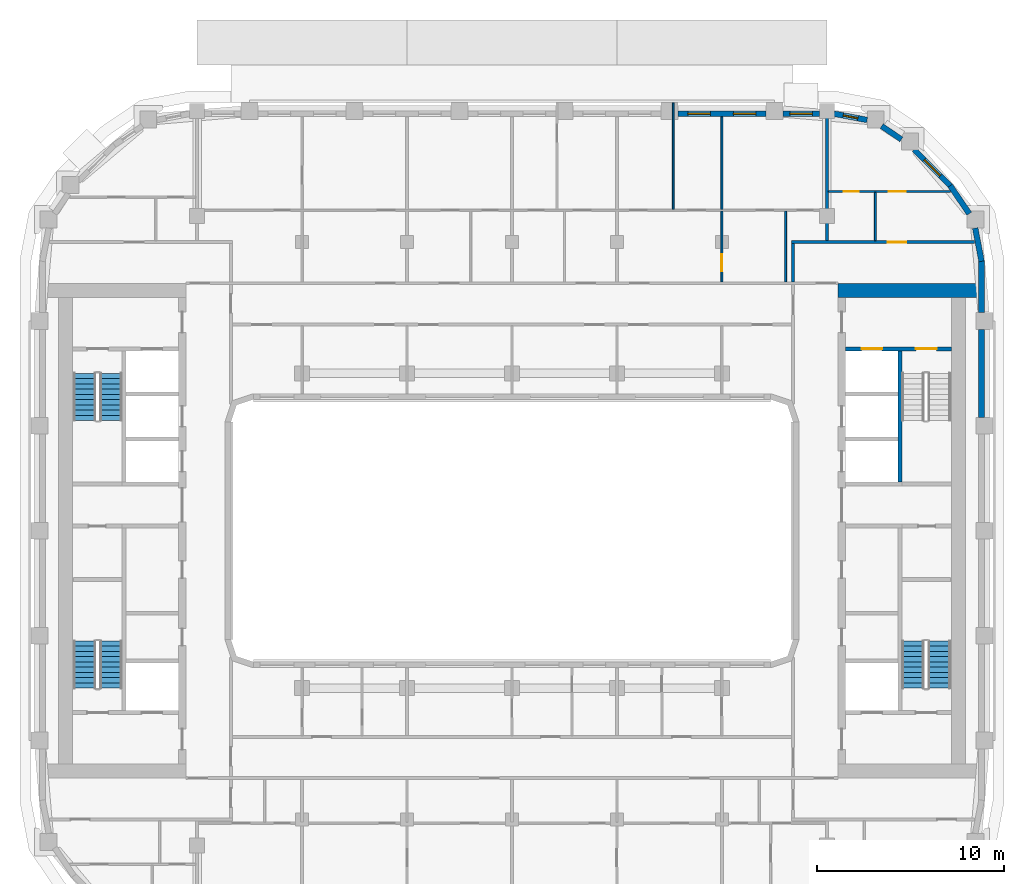
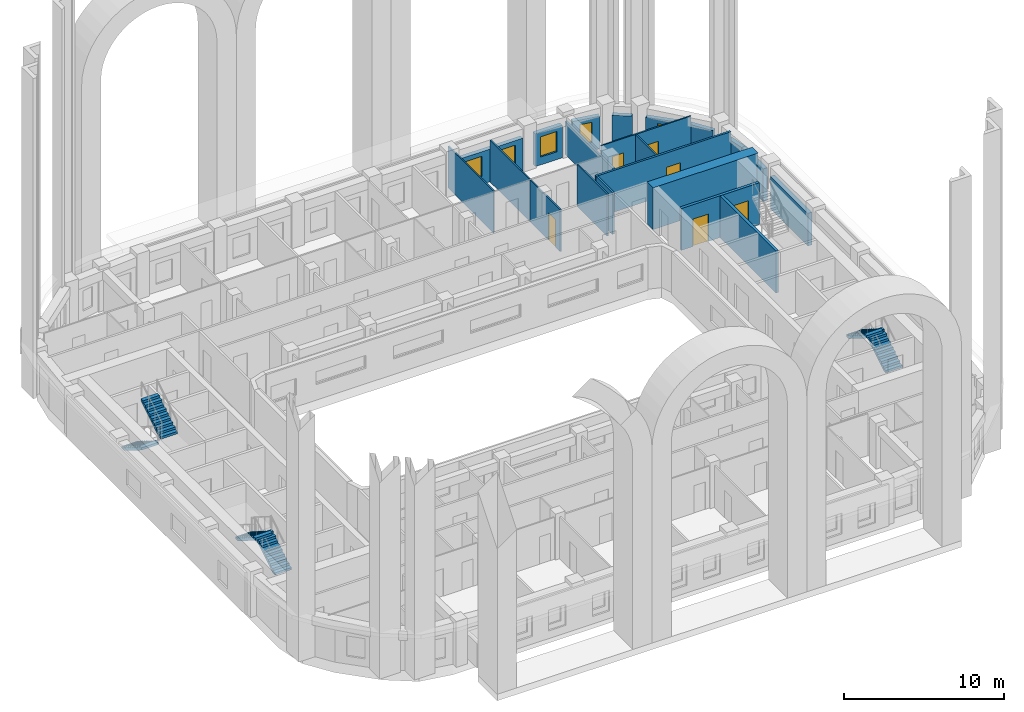
# One storey, part 9 of 20: 21 walls, 6 doors, 6 stair flights, 5 windows, 11 openings, 3 elements without a shape of their own.
"""IFC4 building model written with IfcOpenShell, lengths in metres."""

from ifc_helpers import new_model, si_unit, direction, frame, frame_2d, origin, place, context, subcontext, project, spatial, polyline, rectangle, outline, extrude, material, layer, layer_set, type_object, element, fill, aggregate, save


model = new_model("IFC4")

# Units and contexts
model_context = context("Model", 3, precision=1e-05, world=origin(), true_north=direction((0.0, 1.0)))
body_context = subcontext(model_context, "Body", "Model", "MODEL_VIEW")
ifc_project = project(units=[si_unit("LENGTHUNIT", "METRE"), si_unit("AREAUNIT", "SQUARE_METRE"), si_unit("VOLUMEUNIT", "CUBIC_METRE"), si_unit("PLANEANGLEUNIT", "RADIAN"), si_unit("MASSUNIT", "GRAM", prefix="KILO")], contexts=[model_context])

# Site, building, storey
site_placement = place(None, origin())
site = spatial("IfcSite", under=ifc_project, at=site_placement, CompositionType="ELEMENT")
building_placement = place(site_placement, origin())
building = spatial("IfcBuilding", under=site, at=building_placement, Name="Kiln Ring Residences", CompositionType="ELEMENT")
storey_placement = place(building_placement, frame((0.0, 0.0, 188.89990234375)))
storey = spatial("IfcBuildingStorey", under=building, at=storey_placement, Name="L48", CompositionType="ELEMENT", Elevation=188.89990234375)

# Wall
ifc_material_1 = material(Name="Concrete C40/50", Category="concrete")
ifc_layer_1 = layer(ifc_material_1, 0.199951171875)
ifc_layer_set_1 = layer_set([ifc_layer_1], Name="CORE-WALL-RC200")
wall_type_1 = type_object("IfcWallType", Name="CORE-WALL-RC200", PredefinedType="SHEAR", material=ifc_layer_set_1)
wall_1_placement = place(storey_placement, frame((20.699951171875, 2.60009765625, 0.0), z_axis=(0.0, 0.0, 1.0), x_axis=(0.0, 1.0, 0.0)))
element("IfcWall", 1, at=wall_1_placement, inside=storey, type_object=wall_type_1, Name="Core wall east L48 1", PredefinedType="SHEAR", context=body_context, shape_type="SweptSolid", body=[
    extrude(rectangle(XDim=7.0, YDim=0.199951171875, at=frame_2d((3.5, 0.0))), origin(), (0.0, 0.0, 1.0), 3.2001953125),
])

# Wall, openings, doors
wall_2_placement = place(storey_placement, frame((17.800048828125, 9.699951171875, 0.0), z_axis=(0.0, 0.0, 1.0), x_axis=(1.0, 0.0, 0.0)))
wall_2 = element("IfcWall", 2, at=wall_2_placement, inside=storey, type_object=wall_type_1, Name="Core wall east L48 9", PredefinedType="SHEAR", context=body_context, shape_type="SweptSolid", body=[
    extrude(rectangle(XDim=5.64990234375, YDim=0.199951171875, at=frame_2d((2.824951171875, 0.0))), origin(), (0.0, 0.0, 1.0), 3.2001953125),
])
opening_1_placement = place(wall_2_placement, frame((0.85009765625, 0.0, 0.0)))
opening_1 = element("IfcOpeningElement", 3, at=opening_1_placement, cuts=wall_2, Name="Opening L48-CE06", PredefinedType="OPENING", context=body_context, shape_type="SweptSolid", body=[
    extrude(rectangle(XDim=1.10009765625, YDim=2.10009765625, at=frame_2d((0.550048828125, 1.050048828125))), frame((0.0, 0.10986328125, 0.0), z_axis=(0.0, -1.0, 0.0), x_axis=(1.0, 0.0, 0.0)), (0.0, 0.0, 1.0), 0.219970703125),
])
opening_2_placement = place(wall_2_placement, frame((3.75, 0.0, 0.0)))
opening_2 = element("IfcOpeningElement", 4, at=opening_2_placement, cuts=wall_2, Name="Opening L48-CE09", PredefinedType="OPENING", context=body_context, shape_type="SweptSolid", body=[
    extrude(rectangle(XDim=1.10009765625, YDim=2.10009765625, at=frame_2d((0.550048828125, 1.050048828125))), frame((0.0, 0.10986328125, 0.0), z_axis=(0.0, -1.0, 0.0), x_axis=(1.0, 0.0, 0.0)), (0.0, 0.0, 1.0), 0.219970703125),
])
ifc_material_2 = material(Name="Steel door leaf", Category="steel")
door_type_1 = type_object("IfcDoorType", Name="CORE-DOOR-LD", OperationType="DOUBLE_DOOR_SLIDING", PredefinedType="DOOR", material=ifc_material_2)
door_1_placement = place(opening_1_placement, origin())
door_1 = element("IfcDoor", 5, at=door_1_placement, inside=storey, type_object=door_type_1, Name="LD E-FF L48-CE06", OperationType="DOUBLE_DOOR_SLIDING", OverallHeight=2.10009765625, OverallWidth=1.10009765625, PredefinedType="DOOR", context=body_context, shape_type="SweptSolid", body=[
    extrude(rectangle(XDim=1.10009765625, YDim=2.10009765625, at=frame_2d((0.550048828125, 1.050048828125))), frame((0.0, 0.02490234375, 0.0), z_axis=(0.0, -1.0, 0.0), x_axis=(1.0, 0.0, 0.0)), (0.0, 0.0, 1.0), 0.050048828125),
])
fill(opening_1, door_1)
ifc_material_3 = material(Name="Steel door leaf", Category="steel")
door_type_2 = type_object("IfcDoorType", Name="CORE-DOOR-STAIR", OperationType="SINGLE_SWING_LEFT", PredefinedType="DOOR", material=ifc_material_3)
door_2_placement = place(opening_2_placement, origin())
door_2 = element("IfcDoor", 6, at=door_2_placement, inside=storey, type_object=door_type_2, Name="Stair E-STN L48-CE09", OperationType="SINGLE_SWING_RIGHT", OverallHeight=2.10009765625, OverallWidth=1.10009765625, PredefinedType="DOOR", context=body_context, shape_type="SweptSolid", body=[
    extrude(rectangle(XDim=1.10009765625, YDim=2.10009765625, at=frame_2d((0.550048828125, 1.050048828125))), frame((0.0, 0.02490234375, 0.0), z_axis=(0.0, -1.0, 0.0), x_axis=(1.0, 0.0, 0.0)), (0.0, 0.0, 1.0), 0.050048828125),
])
fill(opening_2, door_2)

# Walls
ifc_material_4 = material(Name="Concrete C60/75", Category="concrete")
ifc_layer_2 = layer(ifc_material_4, 0.75)
ifc_layer_set_2 = layer_set([ifc_layer_2], Name="CORE-WALL-RC750")
wall_type_2 = type_object("IfcWallType", Name="CORE-WALL-RC750", PredefinedType="SHEAR", material=ifc_layer_set_2)
wall_3_placement = place(storey_placement, frame((17.39990234375, 12.824951171875, 0.0), z_axis=(0.0, 0.0, 1.0), x_axis=(1.0, 0.0, 0.0)))
element("IfcWall", 7, at=wall_3_placement, inside=storey, type_object=wall_type_2, Name="Core wall east L48 4", PredefinedType="SHEAR", context=body_context, shape_type="SweptSolid", body=[
    extrude(rectangle(XDim=7.60009765625, YDim=0.75, at=frame_2d((3.800048828125, 0.0))), origin(), (0.0, 0.0, 1.0), 3.2001953125),
])
ifc_material_5 = material(Name="Brick masonry, dark clay brick", Category="masonry")
ifc_layer_3 = layer(ifc_material_5, 0.300048828125)
ifc_layer_set_3 = layer_set([ifc_layer_3], Name="EW-300 BRICK WALL")
wall_type_3 = type_object("IfcWallType", Name="EW-300 BRICK WALL", PredefinedType="SOLIDWALL", material=ifc_layer_set_3)
wall_4_placement = place(storey_placement, frame((25.050048828125, 6.050048828125, 0.0), z_axis=(0.0, 0.0, 1.0), x_axis=(0.0, 1.0, 0.0)))
element("IfcWall", 8, at=wall_4_placement, inside=storey, type_object=wall_type_3, Name="Facade wall L48 20", PredefinedType="SOLIDWALL", context=body_context, shape_type="SweptSolid", body=[
    extrude(rectangle(XDim=4.699951171875, YDim=0.300048828125, at=frame_2d((2.35009765625, 0.0))), origin(), (0.0, 0.0, 1.0), 2.5),
])
wall_5_placement = place(storey_placement, frame((25.050048828125, 11.64990234375, 0.0), z_axis=(0.0, 0.0, 1.0), x_axis=(0.0, 1.0, 0.0)))
element("IfcWall", 9, at=wall_5_placement, inside=storey, type_object=wall_type_3, Name="Facade wall L48 21", PredefinedType="SOLIDWALL", context=body_context, shape_type="SweptSolid", body=[
    extrude(rectangle(XDim=2.75, YDim=0.300048828125, at=frame_2d((1.375, 0.0))), origin(), (0.0, 0.0, 1.0), 2.5),
])
for number, where, z_axis, x_axis, name in (
    (10, (25.052734375, 14.371826171875, 0.0), (0.0, 0.0, 1.0), (-0.187348135549, 0.982293579388, 0.0), "Facade wall L48 22"),
    (11, (24.39404296875, 16.9189453125, 0.0), (0.0, 0.0, 1.0), (-0.562040093569, 0.827109988588, 0.0), "Facade wall L48 23"),
):
    element("IfcWall", number, at=place(storey_placement, frame(where, z_axis=z_axis, x_axis=x_axis)), inside=storey, type_object=wall_type_3, Name=name, PredefinedType="SOLIDWALL", context=body_context, shape_type="SweptSolid", body=[
        extrude(rectangle(XDim=1.80615234375, YDim=0.300048828125, at=frame_2d((0.903076171875, 0.0))), origin(), (0.0, 0.0, 1.0), 2.5),
    ])

# Wall, opening, window
wall_6_placement = place(storey_placement, frame((23.39697265625, 18.390869140625, 0.0), z_axis=(0.0, 0.0, 1.0), x_axis=(-0.707106781187, 0.707106781187, 0.0)))
wall_6 = element("IfcWall", 12, at=wall_6_placement, inside=storey, type_object=wall_type_3, Name="Facade wall L48 24", PredefinedType="SOLIDWALL", context=body_context, shape_type="SweptSolid", body=[
    extrude(rectangle(XDim=2.75, YDim=0.300048828125, at=frame_2d((1.375, 0.0))), origin(), (0.0, 0.0, 1.0), 2.5),
])
opening_3_placement = place(wall_6_placement, frame((0.77490234375, 0.0, 0.60009765625)))
opening_3 = element("IfcOpeningElement", 13, at=opening_3_placement, cuts=wall_6, Name="Opening W1", PredefinedType="OPENING", context=body_context, shape_type="SweptSolid", body=[
    extrude(rectangle(XDim=1.199951171875, YDim=1.550048828125, at=frame_2d((0.60009765625, 0.77490234375))), frame((0.0, 0.159912109375, 0.0), z_axis=(0.0, -1.0, 0.0), x_axis=(1.0, 0.0, 0.0)), (0.0, 0.0, 1.0), 0.320068359375),
])
ifc_material_6 = material(Name="Aluminium frame with double glazing", Category="aluminium")
window_type_1 = type_object("IfcWindowType", Name="WINDOW 1200 x 1550", PartitioningType="SINGLE_PANEL", PredefinedType="WINDOW", material=ifc_material_6)
window_1_placement = place(opening_3_placement, origin())
window_1 = element("IfcWindow", 14, at=window_1_placement, inside=storey, type_object=window_type_1, Name="Window L48 18", OverallHeight=1.550048828125, OverallWidth=1.199951171875, PartitioningType="SINGLE_PANEL", PredefinedType="WINDOW", context=body_context, shape_type="SweptSolid", body=[
    extrude(rectangle(XDim=1.199951171875, YDim=1.550048828125, at=frame_2d((0.60009765625, 0.77490234375))), frame((0.0, 0.030029296875, 0.0), z_axis=(0.0, -1.0, 0.0), x_axis=(1.0, 0.0, 0.0)), (0.0, 0.0, 1.0), 0.06005859375),
])
fill(opening_3, window_1)

# Wall
wall_7_placement = place(storey_placement, frame((20.775146484375, 20.876220703125, 0.0), z_axis=(0.0, 0.0, 1.0), x_axis=(-0.827075824828, 0.562090366388, 0.0)))
element("IfcWall", 15, at=wall_7_placement, inside=storey, type_object=wall_type_3, Name="Facade wall L48 25", PredefinedType="SOLIDWALL", context=body_context, shape_type="SweptSolid", body=[
    extrude(rectangle(XDim=1.27685546875, YDim=0.300048828125, at=frame_2d((0.638427734375, 0.0))), origin(), (0.0, 0.0, 1.0), 2.5),
])

# Wall, opening, window
wall_8_placement = place(storey_placement, frame((18.946044921875, 21.914306640625, 0.0), z_axis=(0.0, 0.0, 1.0), x_axis=(-0.98230529033, 0.187286722942, 0.0)))
wall_8 = element("IfcWall", 16, at=wall_8_placement, inside=storey, type_object=wall_type_3, Name="Facade wall L48 26", PredefinedType="SOLIDWALL", context=body_context, shape_type="SweptSolid", body=[
    extrude(rectangle(XDim=1.798828125, YDim=0.300048828125, at=frame_2d((0.8994140625, 0.0))), origin(), (0.0, 0.0, 1.0), 2.5),
])
opening_4_placement = place(wall_8_placement, frame((0.49951171875, 0.0, 0.60009765625)))
opening_4 = element("IfcOpeningElement", 17, at=opening_4_placement, cuts=wall_8, Name="Opening W5", PredefinedType="OPENING", context=body_context, shape_type="SweptSolid", body=[
    extrude(rectangle(XDim=0.800048828125, YDim=1.550048828125, at=frame_2d((0.39990234375, 0.77490234375))), frame((0.0, 0.159912109375, 0.0), z_axis=(0.0, -1.0, 0.0), x_axis=(1.0, 0.0, 0.0)), (0.0, 0.0, 1.0), 0.320068359375),
])
ifc_material_7 = material(Name="Aluminium frame with double glazing", Category="aluminium")
window_type_2 = type_object("IfcWindowType", Name="WINDOW 800 x 1550", PartitioningType="SINGLE_PANEL", PredefinedType="WINDOW", material=ifc_material_7)
window_2_placement = place(opening_4_placement, origin())
window_2 = element("IfcWindow", 18, at=window_2_placement, inside=storey, type_object=window_type_2, Name="Window L48 19", OverallHeight=1.550048828125, OverallWidth=0.800048828125, PartitioningType="SINGLE_PANEL", PredefinedType="WINDOW", context=body_context, shape_type="SweptSolid", body=[
    extrude(rectangle(XDim=0.800048828125, YDim=1.550048828125, at=frame_2d((0.39990234375, 0.77490234375))), frame((0.0, 0.030029296875, 0.0), z_axis=(0.0, -1.0, 0.0), x_axis=(1.0, 0.0, 0.0)), (0.0, 0.0, 1.0), 0.06005859375),
])
fill(opening_4, window_2)

wall_9_placement = place(storey_placement, frame((16.39990234375, 22.25, 0.0), z_axis=(0.0, 0.0, 1.0), x_axis=(-1.0, 0.0, 0.0)))
wall_9 = element("IfcWall", 19, at=wall_9_placement, inside=storey, type_object=wall_type_3, Name="Facade wall L48 27", PredefinedType="SOLIDWALL", context=body_context, shape_type="SweptSolid", body=[
    extrude(rectangle(XDim=1.949951171875, YDim=0.300048828125, at=frame_2d((0.97509765625, 0.0))), origin(), (0.0, 0.0, 1.0), 2.5),
])
opening_5_placement = place(wall_9_placement, frame((0.375, 0.0, 0.60009765625)))
opening_5 = element("IfcOpeningElement", 20, at=opening_5_placement, cuts=wall_9, Name="Opening W1", PredefinedType="OPENING", context=body_context, shape_type="SweptSolid", body=[
    extrude(rectangle(XDim=1.199951171875, YDim=1.550048828125, at=frame_2d((0.60009765625, 0.77490234375))), frame((0.0, 0.159912109375, 0.0), z_axis=(0.0, -1.0, 0.0), x_axis=(1.0, 0.0, 0.0)), (0.0, 0.0, 1.0), 0.320068359375),
])
window_3_placement = place(opening_5_placement, origin())
window_3 = element("IfcWindow", 21, at=window_3_placement, inside=storey, type_object=window_type_1, Name="Window L48 20", OverallHeight=1.550048828125, OverallWidth=1.199951171875, PartitioningType="SINGLE_PANEL", PredefinedType="WINDOW", context=body_context, shape_type="SweptSolid", body=[
    extrude(rectangle(XDim=1.199951171875, YDim=1.550048828125, at=frame_2d((0.60009765625, 0.77490234375))), frame((0.0, 0.030029296875, 0.0), z_axis=(0.0, -1.0, 0.0), x_axis=(1.0, 0.0, 0.0)), (0.0, 0.0, 1.0), 0.06005859375),
])
fill(opening_5, window_3)

# Wall, openings, windows
wall_10_placement = place(storey_placement, frame((13.550048828125, 22.25, 0.0), z_axis=(0.0, 0.0, 1.0), x_axis=(-1.0, 0.0, 0.0)))
wall_10 = element("IfcWall", 22, at=wall_10_placement, inside=storey, type_object=wall_type_3, Name="Facade wall L48 28", PredefinedType="SOLIDWALL", context=body_context, shape_type="SweptSolid", body=[
    extrude(rectangle(XDim=4.699951171875, YDim=0.300048828125, at=frame_2d((2.35009765625, 0.0))), origin(), (0.0, 0.0, 1.0), 2.5),
])
opening_6_placement = place(wall_10_placement, frame((0.53759765625, 0.0, 0.60009765625)))
opening_6 = element("IfcOpeningElement", 23, at=opening_6_placement, cuts=wall_10, Name="Opening W1", PredefinedType="OPENING", context=body_context, shape_type="SweptSolid", body=[
    extrude(rectangle(XDim=1.199951171875, YDim=1.550048828125, at=frame_2d((0.60009765625, 0.77490234375))), frame((0.0, 0.159912109375, 0.0), z_axis=(0.0, -1.0, 0.0), x_axis=(1.0, 0.0, 0.0)), (0.0, 0.0, 1.0), 0.320068359375),
])
opening_7_placement = place(wall_10_placement, frame((2.96240234375, 0.0, 0.60009765625)))
opening_7 = element("IfcOpeningElement", 24, at=opening_7_placement, cuts=wall_10, Name="Opening W1", PredefinedType="OPENING", context=body_context, shape_type="SweptSolid", body=[
    extrude(rectangle(XDim=1.199951171875, YDim=1.550048828125, at=frame_2d((0.60009765625, 0.77490234375))), frame((0.0, 0.159912109375, 0.0), z_axis=(0.0, -1.0, 0.0), x_axis=(1.0, 0.0, 0.0)), (0.0, 0.0, 1.0), 0.320068359375),
])
window_4_placement = place(opening_6_placement, origin())
window_4 = element("IfcWindow", 25, at=window_4_placement, inside=storey, type_object=window_type_1, Name="Window L48 21", OverallHeight=1.550048828125, OverallWidth=1.199951171875, PartitioningType="SINGLE_PANEL", PredefinedType="WINDOW", context=body_context, shape_type="SweptSolid", body=[
    extrude(rectangle(XDim=1.199951171875, YDim=1.550048828125, at=frame_2d((0.60009765625, 0.77490234375))), frame((0.0, 0.030029296875, 0.0), z_axis=(0.0, -1.0, 0.0), x_axis=(1.0, 0.0, 0.0)), (0.0, 0.0, 1.0), 0.06005859375),
])
fill(opening_6, window_4)
window_5_placement = place(opening_7_placement, origin())
window_5 = element("IfcWindow", 26, at=window_5_placement, inside=storey, type_object=window_type_1, Name="Window L48 22", OverallHeight=1.550048828125, OverallWidth=1.199951171875, PartitioningType="SINGLE_PANEL", PredefinedType="WINDOW", context=body_context, shape_type="SweptSolid", body=[
    extrude(rectangle(XDim=1.199951171875, YDim=1.550048828125, at=frame_2d((0.60009765625, 0.77490234375))), frame((0.0, 0.030029296875, 0.0), z_axis=(0.0, -1.0, 0.0), x_axis=(1.0, 0.0, 0.0)), (0.0, 0.0, 1.0), 0.06005859375),
])
fill(opening_7, window_5)

# Wall, openings, doors
ifc_material_8 = material(Name="Gypsum board on steel studs", Category="steel")
ifc_layer_4 = layer(ifc_material_8, 0.10009765625)
ifc_layer_set_4 = layer_set([ifc_layer_4], Name="PARTITION-100")
wall_type_4 = type_object("IfcWallType", Name="PARTITION-100", PredefinedType="PARTITIONING", material=ifc_layer_set_4)
wall_11_placement = place(storey_placement, frame((16.875, 18.10009765625, 0.0), z_axis=(0.0, 0.0, 1.0), x_axis=(1.0, 0.0, 0.0)))
wall_11 = element("IfcWall", 27, at=wall_11_placement, inside=storey, type_object=wall_type_4, Name="Partition 013", PredefinedType="PARTITIONING", context=body_context, shape_type="SweptSolid", body=[
    extrude(rectangle(XDim=6.51513671875, YDim=0.10009765625, at=frame_2d((3.257568359375, 0.0))), origin(), (0.0, 0.0, 1.0), 3.2001953125),
])
opening_8_placement = place(wall_11_placement, frame((0.824951171875, 0.0, 0.0)))
opening_8 = element("IfcOpeningElement", 28, at=opening_8_placement, cuts=wall_11, Name="Opening L48-D033", PredefinedType="OPENING", context=body_context, shape_type="SweptSolid", body=[
    extrude(rectangle(XDim=0.800048828125, YDim=2.10009765625, at=frame_2d((0.39990234375, 1.050048828125))), frame((0.0, 0.06005859375, 0.0), z_axis=(0.0, -1.0, 0.0), x_axis=(1.0, 0.0, 0.0)), (0.0, 0.0, 1.0), 0.1201171875),
])
opening_9_placement = place(wall_11_placement, frame((3.239013671875, 0.0, 0.0)))
opening_9 = element("IfcOpeningElement", 29, at=opening_9_placement, cuts=wall_11, Name="Opening L48-D034", PredefinedType="OPENING", context=body_context, shape_type="SweptSolid", body=[
    extrude(rectangle(XDim=0.89990234375, YDim=2.10009765625, at=frame_2d((0.449951171875, 1.050048828125))), frame((0.0, 0.06005859375, 0.0), z_axis=(0.0, -1.0, 0.0), x_axis=(1.0, 0.0, 0.0)), (0.0, 0.0, 1.0), 0.1201171875),
])
ifc_material_9 = material(Name="Timber door leaf", Category="wood")
door_type_3 = type_object("IfcDoorType", Name="FLAT-DOOR-800-PL", OperationType="SINGLE_SWING_LEFT", PredefinedType="DOOR", material=ifc_material_9)
door_3_placement = place(opening_8_placement, origin())
door_3 = element("IfcDoor", 30, at=door_3_placement, inside=storey, type_object=door_type_3, Name="Door L48-D033", OperationType="SINGLE_SWING_LEFT", OverallHeight=2.10009765625, OverallWidth=0.800048828125, PredefinedType="DOOR", context=body_context, shape_type="SweptSolid", body=[
    extrude(rectangle(XDim=0.800048828125, YDim=2.10009765625, at=frame_2d((0.39990234375, 1.050048828125))), frame((0.0, 0.02490234375, 0.0), z_axis=(0.0, -1.0, 0.0), x_axis=(1.0, 0.0, 0.0)), (0.0, 0.0, 1.0), 0.050048828125),
])
fill(opening_8, door_3)
ifc_material_10 = material(Name="Timber door leaf", Category="wood")
door_type_4 = type_object("IfcDoorType", Name="FLAT-DOOR-900-PL", OperationType="SINGLE_SWING_LEFT", PredefinedType="DOOR", material=ifc_material_10)
door_4_placement = place(opening_9_placement, origin())
door_4 = element("IfcDoor", 31, at=door_4_placement, inside=storey, type_object=door_type_4, Name="Door L48-D034", OperationType="SINGLE_SWING_RIGHT", OverallHeight=2.10009765625, OverallWidth=0.89990234375, PredefinedType="DOOR", context=body_context, shape_type="SweptSolid", body=[
    extrude(rectangle(XDim=0.89990234375, YDim=2.10009765625, at=frame_2d((0.449951171875, 1.050048828125))), frame((0.0, 0.02490234375, 0.0), z_axis=(0.0, -1.0, 0.0), x_axis=(1.0, 0.0, 0.0)), (0.0, 0.0, 1.0), 0.050048828125),
])
fill(opening_9, door_4)

# Wall
wall_12_placement = place(storey_placement, frame((8.60009765625, 17.14990234375, 0.0), z_axis=(0.0, 0.0, 1.0), x_axis=(0.0, 1.0, 0.0)))
element("IfcWall", 32, at=wall_12_placement, inside=storey, type_object=wall_type_4, Name="Partition 054", PredefinedType="PARTITIONING", context=body_context, shape_type="SweptSolid", body=[
    extrude(rectangle(XDim=5.68017578125, YDim=0.10009765625, at=frame_2d((2.840087890625, 0.0))), origin(), (0.0, 0.0, 1.0), 3.2001953125),
])

# Wall, opening, door
wall_13_placement = place(storey_placement, frame((11.199951171875, 13.27490234375, 0.0), z_axis=(0.0, 0.0, 1.0), x_axis=(0.0, 1.0, 0.0)))
wall_13 = element("IfcWall", 33, at=wall_13_placement, inside=storey, type_object=wall_type_4, Name="Partition 057", PredefinedType="PARTITIONING", context=body_context, shape_type="SweptSolid", body=[
    extrude(rectangle(XDim=3.775146484375, YDim=0.10009765625, at=frame_2d((1.8876953125, 0.0))), origin(), (0.0, 0.0, 1.0), 3.2001953125),
])
opening_10_placement = place(wall_13_placement, frame((0.575927734375, 0.0, 0.0)))
opening_10 = element("IfcOpeningElement", 34, at=opening_10_placement, cuts=wall_13, Name="Opening L48-D027", PredefinedType="OPENING", context=body_context, shape_type="SweptSolid", body=[
    extrude(rectangle(XDim=0.89990234375, YDim=2.10009765625, at=frame_2d((0.449951171875, 1.050048828125))), frame((0.0, 0.06005859375, 0.0), z_axis=(0.0, -1.0, 0.0), x_axis=(1.0, 0.0, 0.0)), (0.0, 0.0, 1.0), 0.1201171875),
])
door_5_placement = place(opening_10_placement, origin())
door_5 = element("IfcDoor", 35, at=door_5_placement, inside=storey, type_object=door_type_4, Name="Door L48-D027", OperationType="SINGLE_SWING_LEFT", OverallHeight=2.10009765625, OverallWidth=0.89990234375, PredefinedType="DOOR", context=body_context, shape_type="SweptSolid", body=[
    extrude(rectangle(XDim=0.89990234375, YDim=2.10009765625, at=frame_2d((0.449951171875, 1.050048828125))), frame((0.0, 0.02490234375, 0.0), z_axis=(0.0, -1.0, 0.0), x_axis=(1.0, 0.0, 0.0)), (0.0, 0.0, 1.0), 0.050048828125),
])
fill(opening_10, door_5)

# Walls
wall_14_placement = place(storey_placement, frame((11.199951171875, 17.14990234375, 0.0), z_axis=(0.0, 0.0, 1.0), x_axis=(0.0, 1.0, 0.0)))
element("IfcWall", 36, at=wall_14_placement, inside=storey, type_object=wall_type_4, Name="Partition 058", PredefinedType="PARTITIONING", context=body_context, shape_type="SweptSolid", body=[
    extrude(rectangle(XDim=4.93017578125, YDim=0.10009765625, at=frame_2d((2.465087890625, 0.0))), origin(), (0.0, 0.0, 1.0), 3.2001953125),
])
wall_15_placement = place(storey_placement, frame((14.60009765625, 13.27490234375, 0.0), z_axis=(0.0, 0.0, 1.0), x_axis=(0.0, 1.0, 0.0)))
element("IfcWall", 37, at=wall_15_placement, inside=storey, type_object=wall_type_4, Name="Partition 063", PredefinedType="PARTITIONING", context=body_context, shape_type="SweptSolid", body=[
    extrude(rectangle(XDim=3.775146484375, YDim=0.10009765625, at=frame_2d((1.8876953125, 0.0))), origin(), (0.0, 0.0, 1.0), 3.2001953125),
])
wall_16_placement = place(storey_placement, frame((19.389892578125, 15.47509765625, 0.0), z_axis=(0.0, 0.0, 1.0), x_axis=(0.0, 1.0, 0.0)))
element("IfcWall", 38, at=wall_16_placement, inside=storey, type_object=wall_type_4, Name="Partition 071", PredefinedType="PARTITIONING", context=body_context, shape_type="SweptSolid", body=[
    extrude(rectangle(XDim=2.574951171875, YDim=0.10009765625, at=frame_2d((1.28759765625, 0.0))), origin(), (0.0, 0.0, 1.0), 3.2001953125),
])

# Wall, opening, door
ifc_material_11 = material(Name="Brick masonry partition", Category="masonry")
ifc_layer_5 = layer(ifc_material_11, 0.14990234375)
ifc_layer_set_5 = layer_set([ifc_layer_5], Name="PARTITION-150-ei60")
wall_type_5 = type_object("IfcWallType", Name="PARTITION-150-ei60", PredefinedType="PARTITIONING", material=ifc_layer_set_5)
wall_17_placement = place(storey_placement, frame((14.925048828125, 15.39990234375, 0.0), z_axis=(0.0, 0.0, 1.0), x_axis=(1.0, 0.0, 0.0)))
wall_17 = element("IfcWall", 39, at=wall_17_placement, inside=storey, type_object=wall_type_5, Name="Partition 010", PredefinedType="PARTITIONING", context=body_context, shape_type="SweptSolid", body=[
    extrude(rectangle(XDim=9.7587890625, YDim=0.14990234375, at=frame_2d((4.87939453125, 0.0))), origin(), (0.0, 0.0, 1.0), 3.2001953125),
])
opening_11_placement = place(wall_17_placement, frame((5.115966796875, 0.0, 0.0)))
opening_11 = element("IfcOpeningElement", 40, at=opening_11_placement, cuts=wall_17, Name="Opening L48-D032", PredefinedType="OPENING", context=body_context, shape_type="SweptSolid", body=[
    extrude(rectangle(XDim=1.0, YDim=2.10009765625, at=frame_2d((0.5, 1.050048828125))), frame((0.0, 0.0849609375, 0.0), z_axis=(0.0, -1.0, 0.0), x_axis=(1.0, 0.0, 0.0)), (0.0, 0.0, 1.0), 0.169921875),
])
ifc_material_12 = material(Name="Steel faced fire door leaf", Category="steel")
door_type_5 = type_object("IfcDoorType", Name="FLAT-DOOR-1000-FR", OperationType="SINGLE_SWING_LEFT", PredefinedType="DOOR", material=ifc_material_12)
door_6_placement = place(opening_11_placement, origin())
door_6 = element("IfcDoor", 41, at=door_6_placement, inside=storey, type_object=door_type_5, Name="Door L48-D032", OperationType="SINGLE_SWING_RIGHT", OverallHeight=2.10009765625, OverallWidth=1.0, PredefinedType="DOOR", context=body_context, shape_type="SweptSolid", body=[
    extrude(rectangle(XDim=1.0, YDim=2.10009765625, at=frame_2d((0.5, 1.050048828125))), frame((0.0, 0.02490234375, 0.0), z_axis=(0.0, -1.0, 0.0), x_axis=(1.0, 0.0, 0.0)), (0.0, 0.0, 1.0), 0.050048828125),
])
fill(opening_11, door_6)

# Walls
wall_18_placement = place(storey_placement, frame((15.0, 13.27490234375, 0.0), z_axis=(0.0, 0.0, 1.0), x_axis=(0.0, 1.0, 0.0)))
element("IfcWall", 42, at=wall_18_placement, inside=storey, type_object=wall_type_5, Name="Partition 067", PredefinedType="PARTITIONING", context=body_context, shape_type="SweptSolid", body=[
    extrude(rectangle(XDim=2.050048828125, YDim=0.14990234375, at=frame_2d((1.02490234375, 0.0))), origin(), (0.0, 0.0, 1.0), 3.2001953125),
])
wall_19_placement = place(storey_placement, frame((16.800048828125, 15.47509765625, 0.0), z_axis=(0.0, 0.0, 1.0), x_axis=(0.0, 1.0, 0.0)))
element("IfcWall", 43, at=wall_19_placement, inside=storey, type_object=wall_type_5, Name="Partition 069", PredefinedType="PARTITIONING", context=body_context, shape_type="SweptSolid", body=[
    extrude(rectangle(XDim=6.8349609375, YDim=0.14990234375, at=frame_2d((3.41748046875, 0.0))), origin(), (0.0, 0.0, 1.0), 2.550048828125),
])

# Stair, stair flights
ifc_material_13 = material(Name="Concrete C40/50", Category="concrete")
stair_type = type_object("IfcStairType", Name="CORE-STAIR", PredefinedType="HALF_TURN_STAIR", material=ifc_material_13)
placement = place(storey_placement, origin())
stair_1 = element("IfcStair", 44, at=placement, inside=storey, type_object=stair_type, Name="L48 stair W-STN", PredefinedType="HALF_TURN_STAIR")
ifc_material_14 = material(Name="Concrete C40/50", Category="concrete")
stair_flight_type = type_object("IfcStairFlightType", Name="CORE-STAIR-FLIGHT", PredefinedType="STRAIGHT", material=ifc_material_14)
stair_flight_1_placement = place(storey_placement, frame((-22.800048828125, 8.39990234375, 0.0), z_axis=(0.0, 0.0, 1.0), x_axis=(0.0, -1.0, 0.0)))
stair_flight_1 = element("IfcStairFlight", 45, at=stair_flight_1_placement, type_object=stair_flight_type, Name="W-STN flight 1", NumberOfRisers=10, NumberOfTreads=9, PredefinedType="STRAIGHT", RiserHeight=0.175, TreadLength=0.28, context=body_context, shape_type="SweptSolid", body=[
    extrude(outline(polyline([(0.0, 0.0), (0.0, 0.175048828125), (0.280029296875, 0.175048828125), (0.280029296875, 0.35009765625), (0.56005859375, 0.35009765625), (0.56005859375, 0.52490234375), (0.840087890625, 0.52490234375), (0.840087890625, 0.699951171875), (1.1201171875, 0.699951171875), (1.1201171875, 0.875), (1.39990234375, 0.875), (1.39990234375, 1.050048828125), (1.679931640625, 1.050048828125), (1.679931640625, 1.22509765625), (1.9599609375, 1.22509765625), (1.9599609375, 1.39990234375), (2.239990234375, 1.39990234375), (2.239990234375, 1.574951171875), (2.52001953125, 1.574951171875), (2.52001953125, 1.75), (2.52001953125, 1.398193359375), (0.28271484375, 0.0), (0.0, 0.0)])), frame((0.0, 0.60009765625, 0.0), z_axis=(0.0, -1.0, 0.0), x_axis=(1.0, 0.0, 0.0)), (0.0, 0.0, 1.0), 1.199951171875),
])
stair_flight_2_placement = place(storey_placement, frame((-21.39990234375, 5.8798828125, 1.75), z_axis=(0.0, 0.0, 1.0), x_axis=(0.0, 1.0, 0.0)))
stair_flight_2 = element("IfcStairFlight", 46, at=stair_flight_2_placement, type_object=stair_flight_type, Name="W-STN flight 2", NumberOfRisers=10, NumberOfTreads=9, PredefinedType="STRAIGHT", RiserHeight=0.175, TreadLength=0.28, context=body_context, shape_type="SweptSolid", body=[
    extrude(outline(polyline([(0.0, 0.0), (0.0, 0.175048828125), (0.280029296875, 0.175048828125), (0.280029296875, 0.35009765625), (0.56005859375, 0.35009765625), (0.56005859375, 0.52490234375), (0.840087890625, 0.52490234375), (0.840087890625, 0.699951171875), (1.1201171875, 0.699951171875), (1.1201171875, 0.875), (1.39990234375, 0.875), (1.39990234375, 1.050048828125), (1.679931640625, 1.050048828125), (1.679931640625, 1.22509765625), (1.9599609375, 1.22509765625), (1.9599609375, 1.39990234375), (2.239990234375, 1.39990234375), (2.239990234375, 1.574951171875), (2.52001953125, 1.574951171875), (2.52001953125, 1.75), (2.52001953125, 1.398193359375), (0.28271484375, 0.0), (0.0, 0.0)])), frame((0.0, 0.60009765625, 0.0), z_axis=(0.0, -1.0, 0.0), x_axis=(1.0, 0.0, 0.0)), (0.0, 0.0, 1.0), 1.199951171875),
])
aggregate(stair_1, [stair_flight_1, stair_flight_2])

stair_2 = element("IfcStair", 47, at=placement, inside=storey, type_object=stair_type, Name="L48 stair W-STS", PredefinedType="HALF_TURN_STAIR")
stair_flight_3_placement = place(storey_placement, frame((-21.39990234375, -8.39990234375, 0.0), z_axis=(0.0, 0.0, 1.0), x_axis=(0.0, 1.0, 0.0)))
stair_flight_3 = element("IfcStairFlight", 48, at=stair_flight_3_placement, type_object=stair_flight_type, Name="W-STS flight 1", NumberOfRisers=10, NumberOfTreads=9, PredefinedType="STRAIGHT", RiserHeight=0.175, TreadLength=0.28, context=body_context, shape_type="SweptSolid", body=[
    extrude(outline(polyline([(0.0, 0.0), (0.0, 0.175048828125), (0.280029296875, 0.175048828125), (0.280029296875, 0.35009765625), (0.56005859375, 0.35009765625), (0.56005859375, 0.52490234375), (0.840087890625, 0.52490234375), (0.840087890625, 0.699951171875), (1.1201171875, 0.699951171875), (1.1201171875, 0.875), (1.39990234375, 0.875), (1.39990234375, 1.050048828125), (1.679931640625, 1.050048828125), (1.679931640625, 1.22509765625), (1.9599609375, 1.22509765625), (1.9599609375, 1.39990234375), (2.239990234375, 1.39990234375), (2.239990234375, 1.574951171875), (2.52001953125, 1.574951171875), (2.52001953125, 1.75), (2.52001953125, 1.398193359375), (0.28271484375, 0.0), (0.0, 0.0)])), frame((0.0, 0.60009765625, 0.0), z_axis=(0.0, -1.0, 0.0), x_axis=(1.0, 0.0, 0.0)), (0.0, 0.0, 1.0), 1.199951171875),
])
stair_flight_4_placement = place(storey_placement, frame((-22.800048828125, -5.8798828125, 1.75), z_axis=(0.0, 0.0, 1.0), x_axis=(0.0, -1.0, 0.0)))
stair_flight_4 = element("IfcStairFlight", 49, at=stair_flight_4_placement, type_object=stair_flight_type, Name="W-STS flight 2", NumberOfRisers=10, NumberOfTreads=9, PredefinedType="STRAIGHT", RiserHeight=0.175, TreadLength=0.28, context=body_context, shape_type="SweptSolid", body=[
    extrude(outline(polyline([(0.0, 0.0), (0.0, 0.175048828125), (0.280029296875, 0.175048828125), (0.280029296875, 0.35009765625), (0.56005859375, 0.35009765625), (0.56005859375, 0.52490234375), (0.840087890625, 0.52490234375), (0.840087890625, 0.699951171875), (1.1201171875, 0.699951171875), (1.1201171875, 0.875), (1.39990234375, 0.875), (1.39990234375, 1.050048828125), (1.679931640625, 1.050048828125), (1.679931640625, 1.22509765625), (1.9599609375, 1.22509765625), (1.9599609375, 1.39990234375), (2.239990234375, 1.39990234375), (2.239990234375, 1.574951171875), (2.52001953125, 1.574951171875), (2.52001953125, 1.75), (2.52001953125, 1.398193359375), (0.28271484375, 0.0), (0.0, 0.0)])), frame((0.0, 0.60009765625, 0.0), z_axis=(0.0, -1.0, 0.0), x_axis=(1.0, 0.0, 0.0)), (0.0, 0.0, 1.0), 1.199951171875),
])
aggregate(stair_2, [stair_flight_3, stair_flight_4])

stair_3 = element("IfcStair", 50, at=placement, inside=storey, type_object=stair_type, Name="L48 stair E-STS", PredefinedType="HALF_TURN_STAIR")
stair_flight_5_placement = place(storey_placement, frame((22.800048828125, -8.39990234375, 0.0), z_axis=(0.0, 0.0, 1.0), x_axis=(0.0, 1.0, 0.0)))
stair_flight_5 = element("IfcStairFlight", 51, at=stair_flight_5_placement, type_object=stair_flight_type, Name="E-STS flight 1", NumberOfRisers=10, NumberOfTreads=9, PredefinedType="STRAIGHT", RiserHeight=0.175, TreadLength=0.28, context=body_context, shape_type="SweptSolid", body=[
    extrude(outline(polyline([(0.0, 0.0), (0.0, 0.175048828125), (0.280029296875, 0.175048828125), (0.280029296875, 0.35009765625), (0.56005859375, 0.35009765625), (0.56005859375, 0.52490234375), (0.840087890625, 0.52490234375), (0.840087890625, 0.699951171875), (1.1201171875, 0.699951171875), (1.1201171875, 0.875), (1.39990234375, 0.875), (1.39990234375, 1.050048828125), (1.679931640625, 1.050048828125), (1.679931640625, 1.22509765625), (1.9599609375, 1.22509765625), (1.9599609375, 1.39990234375), (2.239990234375, 1.39990234375), (2.239990234375, 1.574951171875), (2.52001953125, 1.574951171875), (2.52001953125, 1.75), (2.52001953125, 1.398193359375), (0.28271484375, 0.0), (0.0, 0.0)])), frame((0.0, 0.60009765625, 0.0), z_axis=(0.0, -1.0, 0.0), x_axis=(1.0, 0.0, 0.0)), (0.0, 0.0, 1.0), 1.199951171875),
])
stair_flight_6_placement = place(storey_placement, frame((21.39990234375, -5.8798828125, 1.75), z_axis=(0.0, 0.0, 1.0), x_axis=(0.0, -1.0, 0.0)))
stair_flight_6 = element("IfcStairFlight", 52, at=stair_flight_6_placement, type_object=stair_flight_type, Name="E-STS flight 2", NumberOfRisers=10, NumberOfTreads=9, PredefinedType="STRAIGHT", RiserHeight=0.175, TreadLength=0.28, context=body_context, shape_type="SweptSolid", body=[
    extrude(outline(polyline([(0.0, 0.0), (0.0, 0.175048828125), (0.280029296875, 0.175048828125), (0.280029296875, 0.35009765625), (0.56005859375, 0.35009765625), (0.56005859375, 0.52490234375), (0.840087890625, 0.52490234375), (0.840087890625, 0.699951171875), (1.1201171875, 0.699951171875), (1.1201171875, 0.875), (1.39990234375, 0.875), (1.39990234375, 1.050048828125), (1.679931640625, 1.050048828125), (1.679931640625, 1.22509765625), (1.9599609375, 1.22509765625), (1.9599609375, 1.39990234375), (2.239990234375, 1.39990234375), (2.239990234375, 1.574951171875), (2.52001953125, 1.574951171875), (2.52001953125, 1.75), (2.52001953125, 1.398193359375), (0.28271484375, 0.0), (0.0, 0.0)])), frame((0.0, 0.60009765625, 0.0), z_axis=(0.0, -1.0, 0.0), x_axis=(1.0, 0.0, 0.0)), (0.0, 0.0, 1.0), 1.199951171875),
])
aggregate(stair_3, [stair_flight_5, stair_flight_6])

save(model, "model.ifc")
